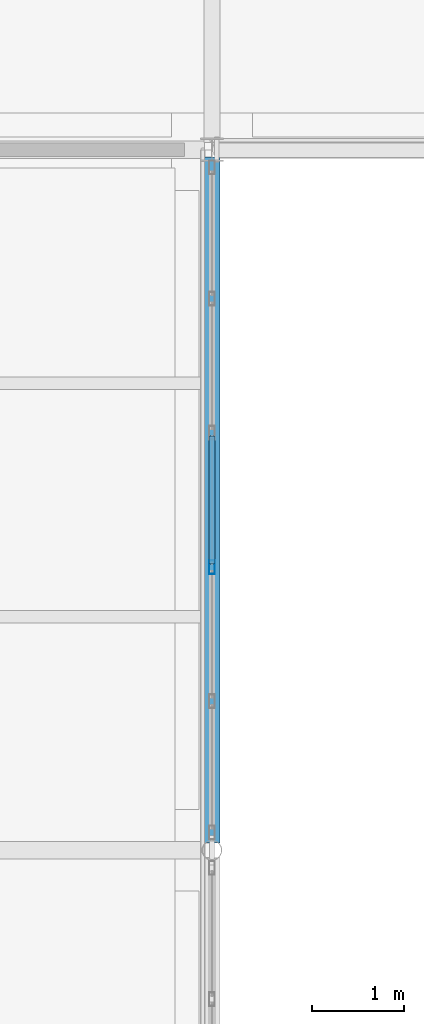
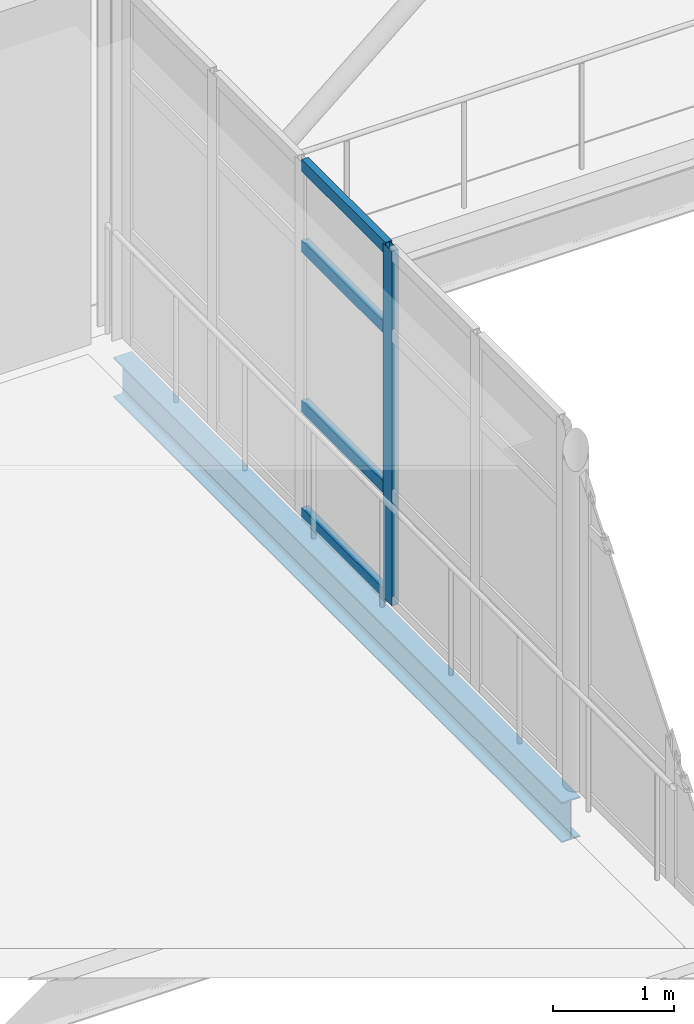
# One storey, part 75 of 166: 5 members, 1 beam, 1 element without a shape of its own.
"""IFC4 building model written with IfcOpenShell, lengths in metres."""

from ifc_helpers import new_model, si_unit, direction, frame, origin, origin_2d, place, context, subcontext, project, spatial, hollow_rectangle, i_section, extrude, material, material_profile, profile_set, type_object, element, aggregate, save


model = new_model("IFC4")

# Units and contexts
model_context = context("Model", 3, precision=1e-05, world=origin(), true_north=direction((0.0, 1.0)))
body_context = subcontext(model_context, "Body", "Model", "MODEL_VIEW")
ifc_project = project(units=[si_unit("LENGTHUNIT", "METRE"), si_unit("AREAUNIT", "SQUARE_METRE"), si_unit("VOLUMEUNIT", "CUBIC_METRE"), si_unit("PLANEANGLEUNIT", "RADIAN"), si_unit("MASSUNIT", "GRAM", prefix="KILO")], contexts=[model_context])

# Site, building, storey
site_placement = place(None, origin())
site = spatial("IfcSite", under=ifc_project, at=site_placement, CompositionType="ELEMENT")
building_placement = place(site_placement, origin())
building = spatial("IfcBuilding", under=site, at=building_placement, Name="Caisbarro Railhouse Central Library", CompositionType="ELEMENT")
storey_placement = place(building_placement, frame((0.0, 0.0, 9.360107421875)))
storey = spatial("IfcBuildingStorey", under=building, at=storey_placement, Name="L02", CompositionType="ELEMENT", Elevation=9.360107421875)

# Beam
ifc_material_1 = material(Name="Steel ASTM A572 Grade 50", Category="steel")
ifc_material_profile_1 = material_profile(ifc_material_1, i_section(OverallWidth=0.177978515625, OverallDepth=0.406982421875, WebThickness=0.0078125, FlangeThickness=0.0126953125, FilletRadius=0.01611328125, at=origin_2d()), Name="W410X60.0")
ifc_profile_set_1 = profile_set([ifc_material_profile_1], Name="Steel ASTM A572 Grade 50")
beam_type = type_object("IfcBeamType", Name="BM-G10", PredefinedType="BEAM", material=ifc_profile_set_1)
beam_placement = place(storey_placement, frame((63.0, 76.080078125, -0.403564453125), z_axis=(0.0, 1.0, 0.0), x_axis=(-1.0, 0.0, 0.0)))
element("IfcBeam", 1, at=beam_placement, inside=storey, type_object=beam_type, Name="G10 beam L02 #1725", PredefinedType="BEAM", context=body_context, shape_type="SweptSolid", body=[
    extrude(i_section(OverallWidth=0.177978515625, OverallDepth=0.406982421875, WebThickness=0.0078125, FlangeThickness=0.0126953125, FilletRadius=0.01611328125, at=origin_2d()), origin(), (0.0, 0.0, 1.0), 7.43994140625),
])

# Curtain wall, members
ifc_material_2 = material(Name="Anodised architectural aluminium", Category="aluminium")
curtain_wall_type = type_object("IfcCurtainWallType", Name="CW-CW03", PredefinedType="NOTDEFINED", material=ifc_material_2)
curtain_wall_placement = place(storey_placement, origin())
curtain_wall = element("IfcCurtainWall", 2, at=curtain_wall_placement, inside=storey, type_object=curtain_wall_type, Name="CW03 curtain wall L02 #207", PredefinedType="NOTDEFINED")
ifc_material_profile_2 = material_profile(ifc_material_2, hollow_rectangle(XDim=0.06494140625, YDim=0.14990234375, WallThickness=0.00390625, at=origin_2d()), Name="ALU-MUL-65X150")
ifc_profile_set_2 = profile_set([ifc_material_profile_2], Name="Anodised architectural aluminium")
member_type_1 = type_object("IfcMemberType", Name="CWM-M02", PredefinedType="MULLION", material=ifc_profile_set_2)
member_1_placement = place(storey_placement, frame((63.0, 79.072021484375, 0.0), z_axis=(0.0, 0.0, 1.0), x_axis=(-1.0, 0.0, 0.0)))
member_1 = element("IfcMember", 3, at=member_1_placement, type_object=member_type_1, Name="CW03 mullion 3", PredefinedType="MULLION", context=body_context, shape_type="SweptSolid", body=[
    extrude(hollow_rectangle(XDim=0.06494140625, YDim=0.14990234375, WallThickness=0.00390625, at=origin_2d()), origin(), (0.0, 0.0, 1.0), 3.58984375),
])
ifc_material_profile_3 = material_profile(ifc_material_2, hollow_rectangle(XDim=0.06494140625, YDim=0.1201171875, WallThickness=0.00341796875, at=origin_2d()), Name="ALU-TRN-65X120")
ifc_profile_set_3 = profile_set([ifc_material_profile_3], Name="Anodised architectural aluminium")
member_type_2 = type_object("IfcMemberType", Name="CWT-T02", PredefinedType="USERDEFINED", material=ifc_profile_set_3)
member_2_placement = place(storey_placement, frame((63.0, 79.1044921875, 0.032470703125), z_axis=(0.0, 1.0, 0.0), x_axis=(-1.0, 0.0, 0.0)))
member_2 = element("IfcMember", 4, at=member_2_placement, type_object=member_type_2, Name="CW03 transom 3.1", ObjectType="TRANSOM", PredefinedType="USERDEFINED", context=body_context, shape_type="SweptSolid", body=[
    extrude(hollow_rectangle(XDim=0.06494140625, YDim=0.1201171875, WallThickness=0.00341796875, at=origin_2d()), origin(), (0.0, 0.0, 1.0), 1.39111328125),
])
member_3_placement = place(storey_placement, frame((63.0, 79.1044921875, 1.119873046875), z_axis=(0.0, 1.0, 0.0), x_axis=(-1.0, 0.0, 0.0)))
member_3 = element("IfcMember", 5, at=member_3_placement, type_object=member_type_2, Name="CW03 transom 3.2", ObjectType="TRANSOM", PredefinedType="USERDEFINED", context=body_context, shape_type="SweptSolid", body=[
    extrude(hollow_rectangle(XDim=0.06494140625, YDim=0.1201171875, WallThickness=0.00341796875, at=origin_2d()), origin(), (0.0, 0.0, 1.0), 1.39111328125),
])
member_4_placement = place(storey_placement, frame((63.0, 79.1044921875, 2.739990234375), z_axis=(0.0, 1.0, 0.0), x_axis=(-1.0, 0.0, 0.0)))
member_4 = element("IfcMember", 6, at=member_4_placement, type_object=member_type_2, Name="CW03 transom 3.3", ObjectType="TRANSOM", PredefinedType="USERDEFINED", context=body_context, shape_type="SweptSolid", body=[
    extrude(hollow_rectangle(XDim=0.06494140625, YDim=0.1201171875, WallThickness=0.00341796875, at=origin_2d()), origin(), (0.0, 0.0, 1.0), 1.39111328125),
])
member_5_placement = place(storey_placement, frame((63.0, 79.1044921875, 3.557373046875), z_axis=(0.0, 1.0, 0.0), x_axis=(-1.0, 0.0, 0.0)))
member_5 = element("IfcMember", 7, at=member_5_placement, type_object=member_type_2, Name="CW03 transom 3.4", ObjectType="TRANSOM", PredefinedType="USERDEFINED", context=body_context, shape_type="SweptSolid", body=[
    extrude(hollow_rectangle(XDim=0.06494140625, YDim=0.1201171875, WallThickness=0.00341796875, at=origin_2d()), origin(), (0.0, 0.0, 1.0), 1.39111328125),
])
aggregate(curtain_wall, [member_1, member_2, member_3, member_4, member_5])

save(model, "model.ifc")
